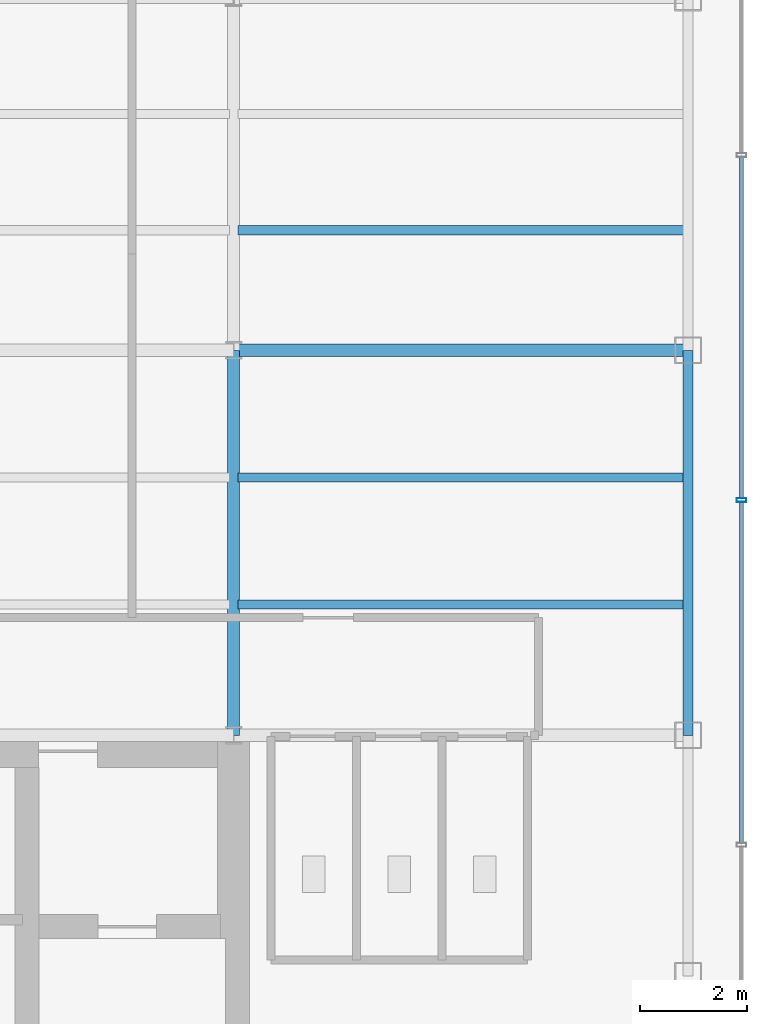
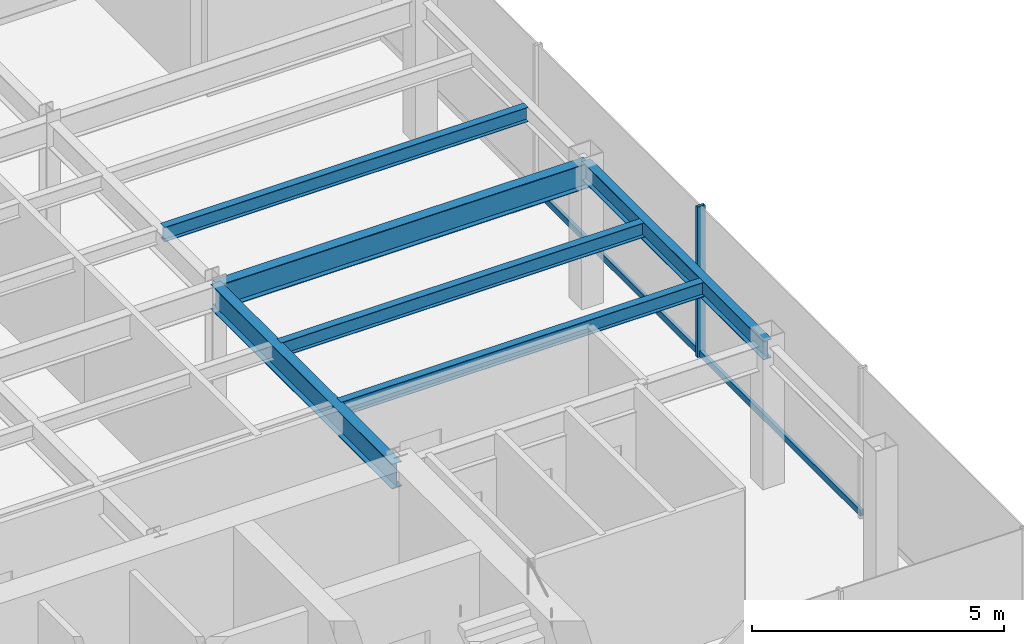
# One storey, part 10 of 22: 6 beams, 3 members, 1 element without a shape of its own.
"""IFC4 building model written with IfcOpenShell, lengths in metres."""

from ifc_helpers import new_model, si_unit, derived_unit, direction, frame, origin, origin_2d, place, context, subcontext, project, spatial, hollow_rectangle, i_section, extrude, source, transform, mapped, material, material_profile, profile_set, type_object, element, aggregate, save


model = new_model("IFC4")

# Units and contexts
model_context = context("Model", 3, precision=1e-05, world=origin(), true_north=direction((0.0, 1.0)))
body_context = subcontext(model_context, "Body", "Model", "MODEL_VIEW")
ifc_project = project(units=[si_unit("LENGTHUNIT", "METRE"), si_unit("AREAUNIT", "SQUARE_METRE"), si_unit("VOLUMEUNIT", "CUBIC_METRE"), si_unit("PLANEANGLEUNIT", "RADIAN"), si_unit("MASSUNIT", "GRAM", prefix="KILO"), derived_unit("THERMALTRANSMITTANCEUNIT", [(si_unit("POWERUNIT", "WATT"), 1), (si_unit("LENGTHUNIT", "METRE"), -2), (si_unit("THERMODYNAMICTEMPERATUREUNIT", "KELVIN"), -1)])], contexts=[model_context])

# Site, building, storey
site_placement = place(None, origin())
site = spatial("IfcSite", under=ifc_project, at=site_placement, CompositionType="ELEMENT")
building_placement = place(site_placement, origin())
building = spatial("IfcBuilding", under=site, at=building_placement, Name="Skarnbrae Concourse Arena and Tower", CompositionType="ELEMENT")
storey_placement = place(building_placement, frame((0.0, 0.0, 206.85009765625)))
storey = spatial("IfcBuildingStorey", under=building, at=storey_placement, Name="L53", CompositionType="ELEMENT", Elevation=206.85009765625)

# Beams
ifc_material_1 = material(Name="Steel CSA G40.21 350W", Category="steel")
ifc_material_profile_1 = material_profile(ifc_material_1, i_section(OverallWidth=0.22802734375, OverallDepth=0.60791015625, WebThickness=0.01123046875, FlangeThickness=0.017333984375, at=origin_2d()), Name="W610X113")
ifc_profile_set_1 = profile_set([ifc_material_profile_1], Name="Steel CSA G40.21 350W")
beam_type_1 = type_object("IfcBeamType", Name="BM-GIRD-W610X113", PredefinedType="BEAM", material=ifc_profile_set_1)
shared_shape_1 = source(origin(), body_context, "Body", "SweptSolid", [
    extrude(i_section(OverallWidth=0.22802734375, OverallDepth=0.60791015625, WebThickness=0.01123046875, FlangeThickness=0.017333984375, at=origin_2d()), origin(), (0.0, 0.0, 1.0), 8.5),
])
beam_1_placement = place(storey_placement, frame((33.5, 21.199951171875, 3.095947265625), z_axis=(1.0, 0.0, 0.0), x_axis=(0.0, 1.0, 0.0)))
element("IfcBeam", 1, at=beam_1_placement, inside=storey, type_object=beam_type_1, Name="L53 Primary E-W girder Y21.2-6", PredefinedType="BEAM", context=body_context, shape_type="MappedRepresentation", body=[
    mapped(shared_shape_1, transform((0.0, 0.0, 0.0))),
])
ifc_material_profile_2 = material_profile(ifc_material_1, i_section(OverallWidth=0.19091796875, OverallDepth=0.4599609375, WebThickness=0.010009765625, FlangeThickness=0.01611328125, at=origin_2d()), Name="W460X82")
ifc_profile_set_2 = profile_set([ifc_material_profile_2], Name="Steel CSA G40.21 350W")
beam_type_2 = type_object("IfcBeamType", Name="BM-SPAN-W460X82", PredefinedType="SPANDREL", material=ifc_profile_set_2)
shared_shape_2 = source(origin(), body_context, "Body", "SweptSolid", [
    extrude(i_section(OverallWidth=0.19091796875, OverallDepth=0.4599609375, WebThickness=0.010009765625, FlangeThickness=0.01611328125, at=origin_2d()), origin(), (0.0, 0.0, 1.0), 7.199951171875),
])
beam_2_placement = place(storey_placement, frame((42.0, 14.0, 3.169921875), z_axis=(0.0, 1.0, 0.0), x_axis=(-1.0, 0.0, 0.0)))
element("IfcBeam", 2, at=beam_2_placement, inside=storey, type_object=beam_type_2, Name="L53 Perimeter spandrel X42.0-2", PredefinedType="SPANDREL", context=body_context, shape_type="MappedRepresentation", body=[
    mapped(shared_shape_2, transform((0.0, 0.0, 0.0))),
])
shared_shape_3 = source(origin(), body_context, "Body", "SweptSolid", [
    extrude(i_section(OverallWidth=0.22802734375, OverallDepth=0.60791015625, WebThickness=0.01123046875, FlangeThickness=0.017333984375, at=origin_2d()), origin(), (0.0, 0.0, 1.0), 7.199951171875),
])
beam_3_placement = place(storey_placement, frame((33.5, 14.0, 3.095947265625), z_axis=(0.0, 1.0, 0.0), x_axis=(-1.0, 0.0, 0.0)))
element("IfcBeam", 3, at=beam_3_placement, inside=storey, type_object=beam_type_1, Name="L53 Primary N-S girder X33.5-1", PredefinedType="BEAM", context=body_context, shape_type="MappedRepresentation", body=[
    mapped(shared_shape_3, transform((0.0, 0.0, 0.0))),
])
ifc_material_profile_3 = material_profile(ifc_material_1, i_section(OverallWidth=0.1708984375, OverallDepth=0.35498046875, WebThickness=0.007080078125, FlangeThickness=0.01171875, at=origin_2d()), Name="W360X51")
ifc_profile_set_3 = profile_set([ifc_material_profile_3], Name="Steel CSA G40.21 350W")
beam_type_3 = type_object("IfcBeamType", Name="BM-JOIST-W360X51", PredefinedType="JOIST", material=ifc_profile_set_3)
shared_shape_4 = source(origin(), body_context, "Body", "SweptSolid", [
    extrude(i_section(OverallWidth=0.1708984375, OverallDepth=0.35498046875, WebThickness=0.007080078125, FlangeThickness=0.01171875, at=origin_2d()), origin(), (0.0, 0.0, 1.0), 8.33984375),
])
for number, where, z_axis, x_axis, name in (
    (4, (33.580078125, 16.447998046875, 3.222412109375), (1.0, 0.0, 0.0), (0.0, 1.0, 0.0), "L53 Secondary floor joist 1.1.6"),
    (5, (33.580078125, 18.823974609375, 3.222412109375), (1.0, 0.0, 0.0), (0.0, 1.0, 0.0), "L53 Secondary floor joist 1.2.6"),
    (6, (33.580078125, 23.444091796875, 3.222412109375), (1.0, 0.0, 0.0), (0.0, 1.0, 0.0), "L53 Secondary floor joist 2.1.6"),
):
    element("IfcBeam", number, at=place(storey_placement, frame(where, z_axis=z_axis, x_axis=x_axis)), inside=storey, type_object=beam_type_3, Name=name, PredefinedType="JOIST", context=body_context, shape_type="MappedRepresentation", body=[
        mapped(shared_shape_4, transform((0.0, 0.0, 0.0))),
    ])

# Curtain wall, members
ifc_material_2 = material(Name="Bronze anodised aluminium 6063-T6", Category="aluminium")
curtain_wall_type = type_object("IfcCurtainWallType", Name="CW-SYS-05-HIGHZONE", PredefinedType="USERDEFINED", material=ifc_material_2)
curtain_wall_placement = place(storey_placement, origin())
curtain_wall = element("IfcCurtainWall", 7, at=curtain_wall_placement, inside=storey, type_object=curtain_wall_type, Name="L53 Unitised curtain wall CW-L53-E04", ObjectType="UNITISED CURTAIN WALL", PredefinedType="USERDEFINED")
ifc_material_profile_4 = material_profile(ifc_material_2, hollow_rectangle(XDim=0.074951171875, YDim=0.179931640625, WallThickness=0.00390625, at=origin_2d()), Name="ALU-MULL-75X180")
ifc_profile_set_4 = profile_set([ifc_material_profile_4], Name="Bronze anodised aluminium 6063-T6")
member_type_1 = type_object("IfcMemberType", Name="CWM-CW-05", PredefinedType="MULLION", material=ifc_profile_set_4)
shared_shape_5 = source(origin(), body_context, "Body", "SweptSolid", [
    extrude(hollow_rectangle(XDim=0.074951171875, YDim=0.179931640625, WallThickness=0.00390625, at=origin_2d()), origin(), (0.0, 0.0, 1.0), 3.64990234375),
])
member_1_placement = place(storey_placement, frame((43.0, 18.39990234375, 0.0), z_axis=(0.0, 0.0, 1.0), x_axis=(0.0, 1.0, 0.0)))
member_1 = element("IfcMember", 8, at=member_1_placement, type_object=member_type_1, Name="CW-L53-E04 Mullion 3", PredefinedType="MULLION", context=body_context, shape_type="MappedRepresentation", body=[
    mapped(shared_shape_5, transform((0.0, 0.0, 0.0))),
])
ifc_material_profile_5 = material_profile(ifc_material_2, hollow_rectangle(XDim=0.074951171875, YDim=0.14990234375, WallThickness=0.00390625, at=origin_2d()), Name="ALU-TRAN-75X150")
ifc_profile_set_5 = profile_set([ifc_material_profile_5], Name="Bronze anodised aluminium 6063-T6")
member_type_2 = type_object("IfcMemberType", Name="CWT-CW-05", PredefinedType="USERDEFINED", material=ifc_profile_set_5)
shared_shape_6 = source(origin(), body_context, "Body", "SweptSolid", [
    extrude(hollow_rectangle(XDim=0.074951171875, YDim=0.14990234375, WallThickness=0.00390625, at=origin_2d()), origin(), (0.0, 0.0, 1.0), 6.375),
])
member_2_placement = place(storey_placement, frame((43.0, 11.987548828125, 0.074951171875), z_axis=(0.0, 1.0, 0.0), x_axis=(-1.0, 0.0, 0.0)))
member_2 = element("IfcMember", 9, at=member_2_placement, type_object=member_type_2, Name="CW-L53-E04 Transom 2", ObjectType="TRANSOM", PredefinedType="USERDEFINED", context=body_context, shape_type="MappedRepresentation", body=[
    mapped(shared_shape_6, transform((0.0, 0.0, 0.0))),
])
member_3_placement = place(storey_placement, frame((43.0, 18.4375, 0.074951171875), z_axis=(0.0, 1.0, 0.0), x_axis=(-1.0, 0.0, 0.0)))
member_3 = element("IfcMember", 10, at=member_3_placement, type_object=member_type_2, Name="CW-L53-E04 Transom 3", ObjectType="TRANSOM", PredefinedType="USERDEFINED", context=body_context, shape_type="MappedRepresentation", body=[
    mapped(shared_shape_6, transform((0.0, 0.0, 0.0))),
])
aggregate(curtain_wall, [member_1, member_2, member_3])

save(model, "model.ifc")
